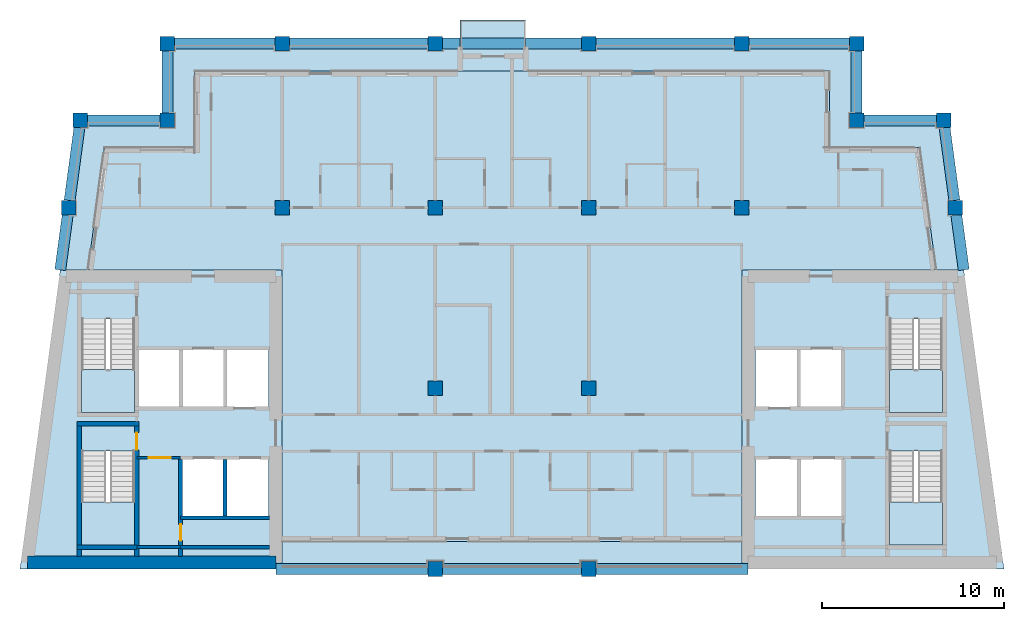
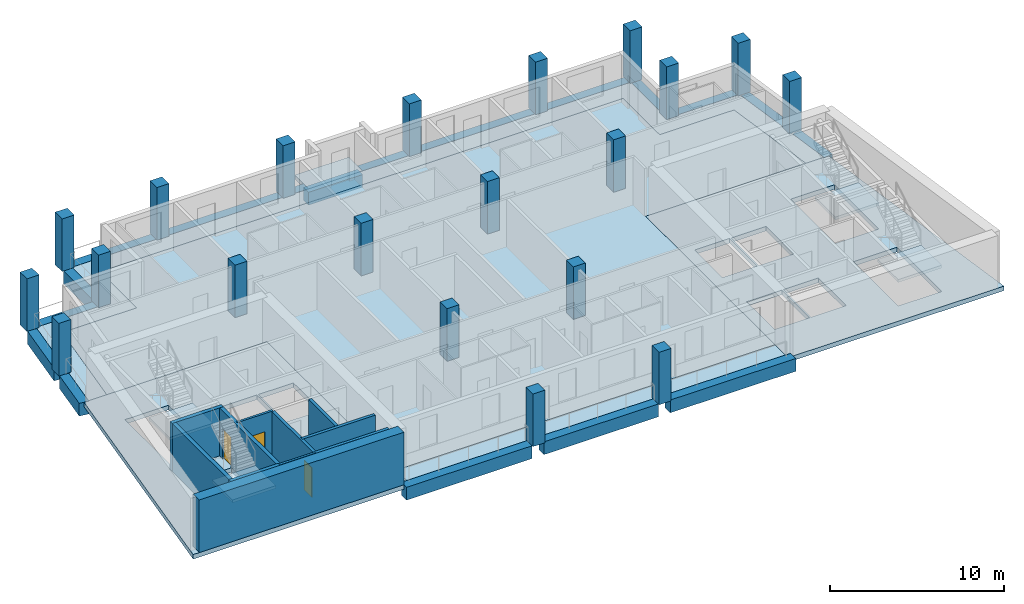
# One storey, part 1 of 9: 20 columns, 18 beams, 11 walls, 10 slabs, 3 doors, 3 openings, 4 elements without a shape of their own.
"""IFC4 building model written with IfcOpenShell, lengths in metres."""

from ifc_helpers import new_model, si_unit, direction, frame, frame_2d, origin, origin_2d, place, context, subcontext, project, spatial, polyline, rectangle, outline, extrude, material, layer, layer_set, material_profile, profile_set, type_object, element, fill, aggregate, save


model = new_model("IFC4")

# Units and contexts
model_context = context("Model", 3, precision=1e-05, world=origin(), true_north=direction((0.0, 1.0)))
body_context = subcontext(model_context, "Body", "Model", "MODEL_VIEW")
ifc_project = project(units=[si_unit("LENGTHUNIT", "METRE"), si_unit("AREAUNIT", "SQUARE_METRE"), si_unit("VOLUMEUNIT", "CUBIC_METRE"), si_unit("PLANEANGLEUNIT", "RADIAN"), si_unit("MASSUNIT", "GRAM", prefix="KILO")], contexts=[model_context])

# Site, building, storey
site_placement = place(None, origin())
site = spatial("IfcSite", under=ifc_project, at=site_placement, CompositionType="ELEMENT")
building_placement = place(site_placement, origin())
building = spatial("IfcBuilding", under=site, at=building_placement, Name="Candeia Pilgrim Tower and Theatre", CompositionType="ELEMENT")
storey_placement = place(building_placement, frame((0.0, 0.0, 296.0)))
storey = spatial("IfcBuildingStorey", under=building, at=storey_placement, Name="L72", CompositionType="ELEMENT", Elevation=296.0)

# Columns
ifc_material_1 = material(Name="Concrete C40/50", Category="concrete")
ifc_material_profile_1 = material_profile(ifc_material_1, rectangle(XDim=0.800048828125, YDim=0.800048828125, at=origin_2d()))
ifc_profile_set_1 = profile_set([ifc_material_profile_1], Name="Concrete C40/50")
column_type = type_object("IfcColumnType", Name="RC 800x800 C40/50", PredefinedType="COLUMN", material=ifc_profile_set_1)
for number, where, z_axis, x_axis, name in (
    (1, (94.5, 140.60009765625, 0.0), (0.0, 0.0, 1.0), (1.0, 0.0, 0.0), "Column NNW"),
    (2, (132.300048828125, 140.60009765625, 0.0), (0.0, 0.0, 1.0), (1.0, 0.0, 0.0), "Column NNE"),
    (3, (89.734619140625, 140.60009765625, 0.0), (0.0, 0.0, 1.0), (1.0, 0.0, 0.0), "Column LNW"),
    (4, (137.0654296875, 140.60009765625, 0.0), (0.0, 0.0, 1.0), (1.0, 0.0, 0.0), "Column LNE"),
    (5, (109.199951171875, 116.0, 0.0), (0.0, 0.0, 1.0), (1.0, 0.0, 0.0), "Column C3"),
    (6, (117.60009765625, 116.0, 0.0), (0.0, 0.0, 1.0), (1.0, 0.0, 0.0), "Column C4"),
    (7, (109.199951171875, 125.89990234375, 0.0), (0.0, 0.0, 1.0), (1.0, 0.0, 0.0), "Column D3"),
    (8, (117.60009765625, 125.89990234375, 0.0), (0.0, 0.0, 1.0), (1.0, 0.0, 0.0), "Column D4"),
    (9, (100.800048828125, 135.800048828125, 0.0), (0.0, 0.0, 1.0), (1.0, 0.0, 0.0), "Column E2"),
    (10, (109.199951171875, 135.800048828125, 0.0), (0.0, 0.0, 1.0), (1.0, 0.0, 0.0), "Column E3"),
    (11, (117.60009765625, 135.800048828125, 0.0), (0.0, 0.0, 1.0), (1.0, 0.0, 0.0), "Column E4"),
    (12, (126.0, 135.800048828125, 0.0), (0.0, 0.0, 1.0), (1.0, 0.0, 0.0), "Column E5"),
    (13, (89.08837890625, 135.800048828125, 0.0), (0.0, 0.0, 1.0), (1.0, 0.0, 0.0), "Column EW"),
    (14, (137.71142578125, 135.800048828125, 0.0), (0.0, 0.0, 1.0), (1.0, 0.0, 0.0), "Column EE"),
    (15, (100.800048828125, 144.800048828125, 0.0), (0.0, 0.0, 1.0), (1.0, 0.0, 0.0), "Column F2"),
    (16, (109.199951171875, 144.800048828125, 0.0), (0.0, 0.0, 1.0), (1.0, 0.0, 0.0), "Column F3"),
    (17, (117.60009765625, 144.800048828125, 0.0), (0.0, 0.0, 1.0), (1.0, 0.0, 0.0), "Column F4"),
    (18, (126.0, 144.800048828125, 0.0), (0.0, 0.0, 1.0), (1.0, 0.0, 0.0), "Column F5"),
    (19, (94.5, 144.800048828125, 0.0), (0.0, 0.0, 1.0), (1.0, 0.0, 0.0), "Column FW"),
    (20, (132.300048828125, 144.800048828125, 0.0), (0.0, 0.0, 1.0), (1.0, 0.0, 0.0), "Column FE"),
):
    element("IfcColumn", number, at=place(storey_placement, frame(where, z_axis=z_axis, x_axis=x_axis)), inside=storey, type_object=column_type, Name=name, PredefinedType="COLUMN", context=body_context, shape_type="SweptSolid", body=[
        extrude(rectangle(XDim=0.800048828125, YDim=0.800048828125, at=origin_2d()), origin(), (0.0, 0.0, 1.0), 3.699951171875),
    ])

# Beams
ifc_material_profile_2 = material_profile(ifc_material_1, rectangle(XDim=0.60009765625, YDim=0.89990234375, at=origin_2d()))
ifc_profile_set_2 = profile_set([ifc_material_profile_2], Name="Concrete C40/50")
beam_type = type_object("IfcBeamType", Name="RC 600x900 C40/50", PredefinedType="BEAM", material=ifc_profile_set_2)
beam_1_placement = place(storey_placement, frame((90.134521484375, 140.60009765625, -0.449951171875), z_axis=(1.0, 0.0, 0.0), x_axis=(0.0, 1.0, 0.0)))
element("IfcBeam", 21, at=beam_1_placement, inside=storey, type_object=beam_type, Name="Spandrel beam L72-01", PredefinedType="BEAM", context=body_context, shape_type="SweptSolid", body=[
    extrude(rectangle(XDim=0.60009765625, YDim=0.89990234375, at=origin_2d()), origin(), (0.0, 0.0, 1.0), 3.965576171875),
])
beam_2_placement = place(storey_placement, frame((94.5, 141.0, -0.449951171875), z_axis=(0.0, 1.0, 0.0), x_axis=(-1.0, 0.0, 0.0)))
element("IfcBeam", 22, at=beam_2_placement, inside=storey, type_object=beam_type, Name="Spandrel beam L72-02", PredefinedType="BEAM", context=body_context, shape_type="SweptSolid", body=[
    extrude(rectangle(XDim=0.60009765625, YDim=0.89990234375, at=origin_2d()), origin(), (0.0, 0.0, 1.0), 3.39990234375),
])
beam_3_placement = place(storey_placement, frame((94.89990234375, 144.800048828125, -0.449951171875), z_axis=(1.0, 0.0, 0.0), x_axis=(0.0, 1.0, 0.0)))
element("IfcBeam", 23, at=beam_3_placement, inside=storey, type_object=beam_type, Name="Spandrel beam L72-03", PredefinedType="BEAM", context=body_context, shape_type="SweptSolid", body=[
    extrude(rectangle(XDim=0.60009765625, YDim=0.89990234375, at=origin_2d()), origin(), (0.0, 0.0, 1.0), 5.5),
])
beam_4_placement = place(storey_placement, frame((101.199951171875, 144.800048828125, -0.449951171875), z_axis=(1.0, 0.0, 0.0), x_axis=(0.0, 1.0, 0.0)))
element("IfcBeam", 24, at=beam_4_placement, inside=storey, type_object=beam_type, Name="Spandrel beam L72-04", PredefinedType="BEAM", context=body_context, shape_type="SweptSolid", body=[
    extrude(rectangle(XDim=0.60009765625, YDim=0.89990234375, at=origin_2d()), origin(), (0.0, 0.0, 1.0), 7.60009765625),
])
beam_5_placement = place(storey_placement, frame((109.60009765625, 144.800048828125, -0.449951171875), z_axis=(1.0, 0.0, 0.0), x_axis=(0.0, 1.0, 0.0)))
element("IfcBeam", 25, at=beam_5_placement, inside=storey, type_object=beam_type, Name="Spandrel beam L72-05", PredefinedType="BEAM", context=body_context, shape_type="SweptSolid", body=[
    extrude(rectangle(XDim=0.60009765625, YDim=0.89990234375, at=origin_2d()), origin(), (0.0, 0.0, 1.0), 0.949951171875),
])
beam_6_placement = place(storey_placement, frame((110.550048828125, 144.800048828125, -0.699951171875), z_axis=(1.0, 0.0, 0.0), x_axis=(0.0, 1.0, 0.0)))
element("IfcBeam", 26, at=beam_6_placement, inside=storey, type_object=beam_type, Name="Spandrel beam L72-06", PredefinedType="BEAM", context=body_context, shape_type="SweptSolid", body=[
    extrude(rectangle(XDim=0.60009765625, YDim=0.89990234375, at=origin_2d()), origin(), (0.0, 0.0, 1.0), 3.599853515625),
])
beam_7_placement = place(storey_placement, frame((114.14990234375, 144.800048828125, -0.449951171875), z_axis=(1.0, 0.0, 0.0), x_axis=(0.0, 1.0, 0.0)))
element("IfcBeam", 27, at=beam_7_placement, inside=storey, type_object=beam_type, Name="Spandrel beam L72-07", PredefinedType="BEAM", context=body_context, shape_type="SweptSolid", body=[
    extrude(rectangle(XDim=0.60009765625, YDim=0.89990234375, at=origin_2d()), origin(), (0.0, 0.0, 1.0), 3.050048828125),
])
beam_8_placement = place(storey_placement, frame((118.0, 144.800048828125, -0.449951171875), z_axis=(1.0, 0.0, 0.0), x_axis=(0.0, 1.0, 0.0)))
element("IfcBeam", 28, at=beam_8_placement, inside=storey, type_object=beam_type, Name="Spandrel beam L72-08", PredefinedType="BEAM", context=body_context, shape_type="SweptSolid", body=[
    extrude(rectangle(XDim=0.60009765625, YDim=0.89990234375, at=origin_2d()), origin(), (0.0, 0.0, 1.0), 7.60009765625),
])
beam_9_placement = place(storey_placement, frame((126.39990234375, 144.800048828125, -0.449951171875), z_axis=(1.0, 0.0, 0.0), x_axis=(0.0, 1.0, 0.0)))
element("IfcBeam", 29, at=beam_9_placement, inside=storey, type_object=beam_type, Name="Spandrel beam L72-09", PredefinedType="BEAM", context=body_context, shape_type="SweptSolid", body=[
    extrude(rectangle(XDim=0.60009765625, YDim=0.89990234375, at=origin_2d()), origin(), (0.0, 0.0, 1.0), 5.5),
])
beam_10_placement = place(storey_placement, frame((132.300048828125, 144.39990234375, -0.449951171875), z_axis=(0.0, -1.0, 0.0), x_axis=(1.0, 0.0, 0.0)))
element("IfcBeam", 30, at=beam_10_placement, inside=storey, type_object=beam_type, Name="Spandrel beam L72-10", PredefinedType="BEAM", context=body_context, shape_type="SweptSolid", body=[
    extrude(rectangle(XDim=0.60009765625, YDim=0.89990234375, at=origin_2d()), origin(), (0.0, 0.0, 1.0), 3.39990234375),
])
beam_11_placement = place(storey_placement, frame((132.699951171875, 140.60009765625, -0.449951171875), z_axis=(1.0, 0.0, 0.0), x_axis=(0.0, 1.0, 0.0)))
element("IfcBeam", 31, at=beam_11_placement, inside=storey, type_object=beam_type, Name="Spandrel beam L72-11", PredefinedType="BEAM", context=body_context, shape_type="SweptSolid", body=[
    extrude(rectangle(XDim=0.60009765625, YDim=0.89990234375, at=origin_2d()), origin(), (0.0, 0.0, 1.0), 3.96533203125),
])
beam_12_placement = place(storey_placement, frame((137.119140625, 140.199951171875, -0.449951171875), z_axis=(0.133439433328, -0.991056969923, 0.0), x_axis=(0.991056969923, 0.133439433328, 0.0)))
element("IfcBeam", 32, at=beam_12_placement, inside=storey, type_object=beam_type, Name="Spandrel beam L72-12", PredefinedType="BEAM", context=body_context, shape_type="SweptSolid", body=[
    extrude(rectangle(XDim=0.60009765625, YDim=0.89990234375, at=origin_2d()), origin(), (0.0, 0.0, 1.0), 4.0361328125),
])
beam_13_placement = place(storey_placement, frame((137.765380859375, 135.39990234375, -0.449951171875), z_axis=(0.133399824849, -0.991062302144, 0.0), x_axis=(0.991062302144, 0.133399824849, 0.0)))
element("IfcBeam", 33, at=beam_13_placement, inside=storey, type_object=beam_type, Name="Spandrel beam L72-13", PredefinedType="BEAM", context=body_context, shape_type="SweptSolid", body=[
    extrude(rectangle(XDim=0.60009765625, YDim=0.89990234375, at=origin_2d()), origin(), (0.0, 0.0, 1.0), 3.027099609375),
])
beam_14_placement = place(storey_placement, frame((126.35009765625, 116.0, -0.449951171875), z_axis=(-1.0, 0.0, 0.0), x_axis=(0.0, -1.0, 0.0)))
element("IfcBeam", 34, at=beam_14_placement, inside=storey, type_object=beam_type, Name="Spandrel beam L72-14", PredefinedType="BEAM", context=body_context, shape_type="SweptSolid", body=[
    extrude(rectangle(XDim=0.60009765625, YDim=0.89990234375, at=origin_2d()), origin(), (0.0, 0.0, 1.0), 8.35009765625),
])
beam_15_placement = place(storey_placement, frame((117.199951171875, 116.0, -0.449951171875), z_axis=(-1.0, 0.0, 0.0), x_axis=(0.0, -1.0, 0.0)))
element("IfcBeam", 35, at=beam_15_placement, inside=storey, type_object=beam_type, Name="Spandrel beam L72-15", PredefinedType="BEAM", context=body_context, shape_type="SweptSolid", body=[
    extrude(rectangle(XDim=0.60009765625, YDim=0.89990234375, at=origin_2d()), origin(), (0.0, 0.0, 1.0), 7.599853515625),
])
beam_16_placement = place(storey_placement, frame((108.800048828125, 116.0, -0.449951171875), z_axis=(-1.0, 0.0, 0.0), x_axis=(0.0, -1.0, 0.0)))
element("IfcBeam", 36, at=beam_16_placement, inside=storey, type_object=beam_type, Name="Spandrel beam L72-16", PredefinedType="BEAM", context=body_context, shape_type="SweptSolid", body=[
    extrude(rectangle(XDim=0.60009765625, YDim=0.89990234375, at=origin_2d()), origin(), (0.0, 0.0, 1.0), 8.35009765625),
])
beam_17_placement = place(storey_placement, frame((88.630859375, 132.39990234375, -0.449951171875), z_axis=(0.133399824849, 0.991062302144, 0.0), x_axis=(-0.991062302144, 0.133399824849, 0.0)))
element("IfcBeam", 37, at=beam_17_placement, inside=storey, type_object=beam_type, Name="Spandrel beam L72-17", PredefinedType="BEAM", context=body_context, shape_type="SweptSolid", body=[
    extrude(rectangle(XDim=0.60009765625, YDim=0.89990234375, at=origin_2d()), origin(), (0.0, 0.0, 1.0), 3.027099609375),
])
beam_18_placement = place(storey_placement, frame((89.142333984375, 136.199951171875, -0.449951171875), z_axis=(0.13338002037, 0.991064967682, 0.0), x_axis=(-0.991064967682, 0.13338002037, 0.0)))
element("IfcBeam", 38, at=beam_18_placement, inside=storey, type_object=beam_type, Name="Spandrel beam L72-18", PredefinedType="BEAM", context=body_context, shape_type="SweptSolid", body=[
    extrude(rectangle(XDim=0.60009765625, YDim=0.89990234375, at=origin_2d()), origin(), (0.0, 0.0, 1.0), 4.0361328125),
])

# Slabs
ifc_layer_1 = layer(ifc_material_1, 0.25)
ifc_layer_set_1 = layer_set([ifc_layer_1], Name="BK1 balcony slab 250")
slab_type_1 = type_object("IfcSlabType", Name="BK1 balcony slab 250", PredefinedType="USERDEFINED", material=ifc_layer_set_1)
slab_1_placement = place(storey_placement, frame((0.0, 0.0, -0.25)))
element("IfcSlab", 39, at=slab_1_placement, inside=storey, type_object=slab_type_1, Name="Balcony L72", ObjectType="BALCONY", PredefinedType="USERDEFINED", context=body_context, shape_type="SweptSolid", body=[
    extrude(outline(polyline([(110.550048828125, 144.5), (114.14990234375, 144.5), (114.14990234375, 146.10009765625), (110.550048828125, 146.10009765625), (110.550048828125, 144.5)])), origin(), (0.0, 0.0, 1.0), 0.25),
])
ifc_material_2 = material(Name="Concrete C60/75", Category="concrete")
ifc_layer_2 = layer(ifc_material_2, 0.320068359375)
ifc_layer_set_2 = layer_set([ifc_layer_2], Name="FS-CORE 320 core floor")
slab_type_2 = type_object("IfcSlabType", Name="FS-CORE 320 core floor", PredefinedType="FLOOR", material=ifc_layer_set_2)
slab_2_placement = place(storey_placement, frame((0.0, 0.0, -0.320068359375)))
element("IfcSlab", 40, at=slab_2_placement, inside=storey, type_object=slab_type_2, Name="Core floor W L72", PredefinedType="FLOOR", context=body_context, shape_type="SweptSolid", body=[
    extrude(outline(polyline([(100.800048828125, 132.39990234375), (100.800048828125, 116.0), (86.423095703125, 116.0), (88.630859375, 132.39990234375), (100.800048828125, 132.39990234375)]), holes=[polyline([(97.71337890625, 122.050048828125), (97.71337890625, 118.85009765625), (100.050048828125, 118.85009765625), (100.050048828125, 122.050048828125), (97.71337890625, 122.050048828125)]), polyline([(97.7255859375, 128.050048828125), (97.7255859375, 124.85009765625), (100.050048828125, 124.85009765625), (100.050048828125, 128.050048828125), (97.7255859375, 128.050048828125)]), polyline([(95.30126953125, 128.050048828125), (95.30126953125, 124.85009765625), (97.625732421875, 124.85009765625), (97.625732421875, 128.050048828125), (95.30126953125, 128.050048828125)]), polyline([(95.277099609375, 122.050048828125), (95.277099609375, 118.85009765625), (97.613525390625, 118.85009765625), (97.613525390625, 122.050048828125), (95.277099609375, 122.050048828125)]), polyline([(92.876953125, 128.050048828125), (92.876953125, 124.85009765625), (95.201416015625, 124.85009765625), (95.201416015625, 128.050048828125), (92.876953125, 128.050048828125)]), polyline([(89.802001953125, 117.324951171875), (92.701904296875, 117.324951171875), (92.701904296875, 122.455078125), (89.802001953125, 122.455078125), (89.802001953125, 117.324951171875)]), polyline([(89.802001953125, 129.705078125), (89.802001953125, 124.574951171875), (92.701904296875, 124.574951171875), (92.701904296875, 129.705078125), (89.802001953125, 129.705078125)])]), origin(), (0.0, 0.0, 1.0), 0.320068359375),
])
slab_3_placement = place(storey_placement, frame((0.0, 0.0, -0.320068359375)))
element("IfcSlab", 41, at=slab_3_placement, inside=storey, type_object=slab_type_2, Name="Core floor E L72", PredefinedType="FLOOR", context=body_context, shape_type="SweptSolid", body=[
    extrude(outline(polyline([(138.169189453125, 132.39990234375), (140.376953125, 116.0), (126.0, 116.0), (126.0, 132.39990234375), (138.169189453125, 132.39990234375)]), holes=[polyline([(134.097900390625, 117.324951171875), (136.998046875, 117.324951171875), (136.998046875, 122.455078125), (134.097900390625, 122.455078125), (134.097900390625, 117.324951171875)]), polyline([(134.097900390625, 129.705078125), (134.097900390625, 124.574951171875), (136.998046875, 124.574951171875), (136.998046875, 129.705078125), (134.097900390625, 129.705078125)]), polyline([(131.52294921875, 122.050048828125), (129.1865234375, 122.050048828125), (129.1865234375, 118.85009765625), (131.52294921875, 118.85009765625), (131.52294921875, 122.050048828125)]), polyline([(131.498779296875, 128.050048828125), (129.17431640625, 128.050048828125), (129.17431640625, 124.85009765625), (131.498779296875, 124.85009765625), (131.498779296875, 128.050048828125)]), polyline([(129.08642578125, 122.050048828125), (126.75, 122.050048828125), (126.75, 118.85009765625), (129.08642578125, 118.85009765625), (129.08642578125, 122.050048828125)]), polyline([(126.75, 128.050048828125), (126.75, 124.85009765625), (129.07421875, 124.85009765625), (129.07421875, 128.050048828125), (126.75, 128.050048828125)])]), origin(), (0.0, 0.0, 1.0), 0.320068359375),
])
ifc_material_3 = material(Name="Concrete C50/60", Category="concrete")
ifc_layer_3 = layer(ifc_material_3, 0.320068359375)
ifc_layer_set_3 = layer_set([ifc_layer_3], Name="Floor slab 320 C50/60")
slab_type_3 = type_object("IfcSlabType", Name="Floor slab 320 C50/60", PredefinedType="FLOOR", material=ifc_layer_set_3)
slab_4_placement = place(storey_placement, frame((0.0, 0.0, -0.320068359375)))
element("IfcSlab", 42, at=slab_4_placement, inside=storey, type_object=slab_type_3, Name="Floor slab L72", PredefinedType="FLOOR", context=body_context, shape_type="SweptSolid", body=[
    extrude(outline(polyline([(96.0, 139.10009765625), (96.0, 143.300048828125), (130.800048828125, 143.300048828125), (130.800048828125, 139.10009765625), (135.753662109375, 139.10009765625), (136.65576171875, 132.39990234375), (126.0, 132.39990234375), (126.0, 117.5), (100.800048828125, 117.5), (100.800048828125, 132.39990234375), (90.144287109375, 132.39990234375), (91.046142578125, 139.10009765625), (96.0, 139.10009765625)])), origin(), (0.0, 0.0, 1.0), 0.320068359375),
])
ifc_layer_4 = layer(ifc_material_1, 0.25)
ifc_layer_set_4 = layer_set([ifc_layer_4], Name="Loggia slab 250 C40/50")
slab_type_4 = type_object("IfcSlabType", Name="Loggia slab 250 C40/50", PredefinedType="FLOOR", material=ifc_layer_set_4)
slab_5_placement = place(storey_placement, frame((0.0, 0.0, -0.25)))
element("IfcSlab", 43, at=slab_5_placement, inside=storey, type_object=slab_type_4, Name="Loggia slab L72 1", PredefinedType="FLOOR", context=body_context, shape_type="SweptSolid", body=[
    extrude(outline(polyline([(100.800048828125, 117.5), (126.0, 117.5), (126.0, 116.300048828125), (100.800048828125, 116.300048828125), (100.800048828125, 117.5)])), origin(), (0.0, 0.0, 1.0), 0.25),
])
slab_6_placement = place(storey_placement, frame((0.0, 0.0, -0.25)))
element("IfcSlab", 44, at=slab_6_placement, inside=storey, type_object=slab_type_4, Name="Loggia slab L72 2", PredefinedType="FLOOR", context=body_context, shape_type="SweptSolid", body=[
    extrude(outline(polyline([(136.65576171875, 132.39990234375), (135.753662109375, 139.10009765625), (130.800048828125, 139.10009765625), (130.800048828125, 143.300048828125), (96.0, 143.300048828125), (96.0, 139.10009765625), (91.046142578125, 139.10009765625), (90.144287109375, 132.39990234375), (88.93359375, 132.39990234375), (89.996826171875, 140.300048828125), (94.800048828125, 140.300048828125), (94.800048828125, 144.5), (132.0, 144.5), (132.0, 140.300048828125), (136.802978515625, 140.300048828125), (137.866455078125, 132.39990234375), (136.65576171875, 132.39990234375)])), origin(), (0.0, 0.0, 1.0), 0.25),
])

# Stair, slab
stair_type = type_object("IfcStairType", Name="ST-TWR dog-leg escape stair", PredefinedType="HALF_TURN_STAIR", material=ifc_material_1)
stair_1_placement = place(storey_placement, origin())
stair_1 = element("IfcStair", 45, at=stair_1_placement, inside=storey, type_object=stair_type, Name="L72 Escape stair ST1", PredefinedType="HALF_TURN_STAIR")
ifc_layer_5 = layer(ifc_material_1, 0.199951171875)
ifc_layer_set_5 = layer_set([ifc_layer_5], Name="SL-LANDING stair landing")
slab_type_5 = type_object("IfcSlabType", Name="SL-LANDING stair landing", PredefinedType="LANDING", material=ifc_layer_set_5)
slab_7_placement = place(storey_placement, frame((0.0, 0.0, 1.64990234375)))
slab_7 = element("IfcSlab", 46, at=slab_7_placement, type_object=slab_type_5, Name="ST1 landing 1", PredefinedType="LANDING", context=body_context, shape_type="SweptSolid", body=[
    extrude(outline(polyline([(89.802001953125, 119.675048828125), (89.802001953125, 117.324951171875), (92.701904296875, 117.324951171875), (92.701904296875, 119.675048828125), (89.802001953125, 119.675048828125)])), origin(), (0.0, 0.0, 1.0), 0.2001953125),
])
aggregate(stair_1, [slab_7])

stair_2_placement = place(storey_placement, origin())
stair_2 = element("IfcStair", 47, at=stair_2_placement, inside=storey, type_object=stair_type, Name="L72 Escape stair ST2", PredefinedType="HALF_TURN_STAIR")
slab_8_placement = place(storey_placement, frame((0.0, 0.0, 1.64990234375)))
slab_8 = element("IfcSlab", 48, at=slab_8_placement, type_object=slab_type_5, Name="ST2 landing 1", PredefinedType="LANDING", context=body_context, shape_type="SweptSolid", body=[
    extrude(outline(polyline([(89.802001953125, 126.925048828125), (89.802001953125, 124.574951171875), (92.701904296875, 124.574951171875), (92.701904296875, 126.925048828125), (89.802001953125, 126.925048828125)])), origin(), (0.0, 0.0, 1.0), 0.2001953125),
])
aggregate(stair_2, [slab_8])

stair_3_placement = place(storey_placement, origin())
stair_3 = element("IfcStair", 49, at=stair_3_placement, inside=storey, type_object=stair_type, Name="L72 Escape stair ST3", PredefinedType="HALF_TURN_STAIR")
slab_9_placement = place(storey_placement, frame((0.0, 0.0, 1.64990234375)))
slab_9 = element("IfcSlab", 50, at=slab_9_placement, type_object=slab_type_5, Name="ST3 landing 1", PredefinedType="LANDING", context=body_context, shape_type="SweptSolid", body=[
    extrude(outline(polyline([(134.097900390625, 119.675048828125), (134.097900390625, 117.324951171875), (136.998046875, 117.324951171875), (136.998046875, 119.675048828125), (134.097900390625, 119.675048828125)])), origin(), (0.0, 0.0, 1.0), 0.2001953125),
])
aggregate(stair_3, [slab_9])

stair_4_placement = place(storey_placement, origin())
stair_4 = element("IfcStair", 51, at=stair_4_placement, inside=storey, type_object=stair_type, Name="L72 Escape stair ST4", PredefinedType="HALF_TURN_STAIR")
slab_10_placement = place(storey_placement, frame((0.0, 0.0, 1.64990234375)))
slab_10 = element("IfcSlab", 52, at=slab_10_placement, type_object=slab_type_5, Name="ST4 landing 1", PredefinedType="LANDING", context=body_context, shape_type="SweptSolid", body=[
    extrude(outline(polyline([(134.097900390625, 126.925048828125), (134.097900390625, 124.574951171875), (136.998046875, 124.574951171875), (136.998046875, 126.925048828125), (134.097900390625, 126.925048828125)])), origin(), (0.0, 0.0, 1.0), 0.2001953125),
])
aggregate(stair_4, [slab_10])

# Walls
ifc_layer_6 = layer(ifc_material_1, 0.699951171875)
ifc_layer_set_6 = layer_set([ifc_layer_6], Name="Core wall 700 C40/50")
wall_type_1 = type_object("IfcWallType", Name="Core wall 700 C40/50", PredefinedType="SHEAR", material=ifc_layer_set_6)
wall_1_placement = place(storey_placement, frame((100.449951171875, 116.35009765625, 0.0), z_axis=(0.0, 0.0, 1.0), x_axis=(-1.0, 0.0, 0.0)))
element("IfcWall", 53, at=wall_1_placement, inside=storey, type_object=wall_type_1, Name="Core wall W3", PredefinedType="SHEAR", context=body_context, shape_type="SweptSolid", body=[
    extrude(rectangle(XDim=13.626708984375, YDim=0.699951171875, at=frame_2d((6.8134765625, 0.0))), origin(), (0.0, 0.0, 1.0), 3.699951171875),
])
ifc_material_4 = material(Name="Gypsum board partition on steel studs", Category="steel")
ifc_layer_7 = layer(ifc_material_4, 0.14990234375)
ifc_layer_set_7 = layer_set([ifc_layer_7], Name="PW-150 lobby wall")
wall_type_2 = type_object("IfcWallType", Name="PW-150 lobby wall", PredefinedType="PARTITIONING", material=ifc_layer_set_7)
wall_2_placement = place(storey_placement, frame((92.826904296875, 117.199951171875, 0.0), z_axis=(0.0, 0.0, 1.0), x_axis=(1.0, 0.0, 0.0)))
element("IfcWall", 54, at=wall_2_placement, inside=storey, type_object=wall_type_2, Name="Lobby wall L72-003", PredefinedType="PARTITIONING", context=body_context, shape_type="SweptSolid", body=[
    extrude(rectangle(XDim=2.400146484375, YDim=0.14990234375, at=frame_2d((1.2001953125, 0.0))), origin(), (0.0, 0.0, 1.0), 3.3798828125),
])

# Wall, opening, door
wall_3_placement = place(storey_placement, frame((92.826904296875, 122.10009765625, 0.0), z_axis=(0.0, 0.0, 1.0), x_axis=(1.0, 0.0, 0.0)))
wall_3 = element("IfcWall", 55, at=wall_3_placement, inside=storey, type_object=wall_type_2, Name="Lobby wall L72-014", PredefinedType="PARTITIONING", context=body_context, shape_type="SweptSolid", body=[
    extrude(rectangle(XDim=2.400146484375, YDim=0.14990234375, at=frame_2d((1.2001953125, 0.0))), origin(), (0.0, 0.0, 1.0), 3.3798828125),
])
opening_1_placement = place(wall_3_placement, frame((0.64990234375, 0.0, 0.0)))
opening_1 = element("IfcOpeningElement", 56, at=opening_1_placement, cuts=wall_3, Name="Opening L72-D001", PredefinedType="OPENING", context=body_context, shape_type="SweptSolid", body=[
    extrude(rectangle(XDim=1.199951171875, YDim=2.10009765625, at=frame_2d((0.60009765625, 1.050048828125))), frame((0.0, 0.0849609375, 0.0), z_axis=(0.0, -1.0, 0.0), x_axis=(1.0, 0.0, 0.0)), (0.0, 0.0, 1.0), 0.169921875),
])
ifc_material_5 = material(Name="Steel fire door set", Category="steel")
door_type_1 = type_object("IfcDoorType", Name="D-1200-FD60", OperationType="NOTDEFINED", PredefinedType="DOOR", material=ifc_material_5)
door_1_placement = place(opening_1_placement, origin())
door_1 = element("IfcDoor", 57, at=door_1_placement, inside=storey, type_object=door_type_1, Name="Door L72-D001", OperationType="SINGLE_SWING_LEFT", OverallHeight=2.10009765625, OverallWidth=1.199951171875, PredefinedType="DOOR", context=body_context, shape_type="SweptSolid", body=[
    extrude(rectangle(XDim=1.199951171875, YDim=2.10009765625, at=frame_2d((0.60009765625, 1.050048828125))), frame((0.0, 0.02490234375, 0.0), z_axis=(0.0, -1.0, 0.0), x_axis=(1.0, 0.0, 0.0)), (0.0, 0.0, 1.0), 0.050048828125),
])
fill(opening_1, door_1)

# Walls
ifc_layer_8 = layer(ifc_material_1, 0.199951171875)
ifc_layer_set_8 = layer_set([ifc_layer_8], Name="SW-200 shaft wall")
wall_type_3 = type_object("IfcWallType", Name="SW-200 shaft wall", PredefinedType="PARTITIONING", material=ifc_layer_set_8)
for number, where, z_axis, x_axis, name in (
    (58, (95.22705078125, 117.199951171875, 0.0), (0.0, 0.0, 1.0), (1.0, 0.0, 0.0), "Shaft wall L72-001"),
    (59, (95.22705078125, 118.800048828125, 0.0), (0.0, 0.0, 1.0), (1.0, 0.0, 0.0), "Shaft wall L72-007"),
):
    element("IfcWall", number, at=place(storey_placement, frame(where, z_axis=z_axis, x_axis=x_axis)), inside=storey, type_object=wall_type_3, Name=name, PredefinedType="PARTITIONING", context=body_context, shape_type="SweptSolid", body=[
        extrude(rectangle(XDim=4.873046875, YDim=0.199951171875, at=frame_2d((2.4365234375, 0.0))), origin(), (0.0, 0.0, 1.0), 3.3798828125),
    ])

# Wall, opening, door
wall_4_placement = place(storey_placement, frame((95.22705078125, 116.669921875, 0.0), z_axis=(0.0, 0.0, 1.0), x_axis=(0.0, 1.0, 0.0)))
wall_4 = element("IfcWall", 60, at=wall_4_placement, inside=storey, type_object=wall_type_3, Name="Shaft wall L72-046", PredefinedType="PARTITIONING", context=body_context, shape_type="SweptSolid", body=[
    extrude(rectangle(XDim=5.330078125, YDim=0.199951171875, at=frame_2d((2.6650390625, 0.0))), origin(), (0.0, 0.0, 1.0), 3.3798828125),
])
opening_2_placement = place(wall_4_placement, frame((0.8798828125, 0.0, 0.0)))
opening_2 = element("IfcOpeningElement", 61, at=opening_2_placement, cuts=wall_4, Name="Opening L72-D004", PredefinedType="OPENING", context=body_context, shape_type="SweptSolid", body=[
    extrude(rectangle(XDim=0.89990234375, YDim=2.10009765625, at=frame_2d((0.449951171875, 1.050048828125))), frame((0.0, 0.10986328125, 0.0), z_axis=(0.0, -1.0, 0.0), x_axis=(1.0, 0.0, 0.0)), (0.0, 0.0, 1.0), 0.219970703125),
])
door_type_2 = type_object("IfcDoorType", Name="D-900-FD60", OperationType="NOTDEFINED", PredefinedType="DOOR", material=ifc_material_5)
door_2_placement = place(opening_2_placement, origin())
door_2 = element("IfcDoor", 62, at=door_2_placement, inside=storey, type_object=door_type_2, Name="Door L72-D004", OperationType="SINGLE_SWING_RIGHT", OverallHeight=2.10009765625, OverallWidth=0.89990234375, PredefinedType="DOOR", context=body_context, shape_type="SweptSolid", body=[
    extrude(rectangle(XDim=0.89990234375, YDim=2.10009765625, at=frame_2d((0.449951171875, 1.050048828125))), frame((0.0, 0.02490234375, 0.0), z_axis=(0.0, -1.0, 0.0), x_axis=(1.0, 0.0, 0.0)), (0.0, 0.0, 1.0), 0.050048828125),
])
fill(opening_2, door_2)

# Walls
wall_5_placement = place(storey_placement, frame((97.66357421875, 118.89990234375, 0.0), z_axis=(0.0, 0.0, 1.0), x_axis=(0.0, 1.0, 0.0)))
element("IfcWall", 63, at=wall_5_placement, inside=storey, type_object=wall_type_3, Name="Shaft wall L72-049", PredefinedType="PARTITIONING", context=body_context, shape_type="SweptSolid", body=[
    extrude(rectangle(XDim=3.10009765625, YDim=0.199951171875, at=frame_2d((1.550048828125, 0.0))), origin(), (0.0, 0.0, 1.0), 3.3798828125),
])
ifc_layer_9 = layer(ifc_material_1, 0.25)
ifc_layer_set_9 = layer_set([ifc_layer_9], Name="SW-250 stair wall")
wall_type_4 = type_object("IfcWallType", Name="SW-250 stair wall", PredefinedType="PARTITIONING", material=ifc_layer_set_9)
wall_6_placement = place(storey_placement, frame((89.552001953125, 117.199951171875, 0.0), z_axis=(0.0, 0.0, 1.0), x_axis=(1.0, 0.0, 0.0)))
element("IfcWall", 64, at=wall_6_placement, inside=storey, type_object=wall_type_4, Name="Stair wall L72-005", PredefinedType="PARTITIONING", context=body_context, shape_type="SweptSolid", body=[
    extrude(rectangle(XDim=3.27490234375, YDim=0.25, at=frame_2d((1.637451171875, 0.0))), origin(), (0.0, 0.0, 1.0), 3.3798828125),
])
wall_7_placement = place(storey_placement, frame((89.552001953125, 123.949951171875, 0.0), z_axis=(0.0, 0.0, 1.0), x_axis=(1.0, 0.0, 0.0)))
element("IfcWall", 65, at=wall_7_placement, inside=storey, type_object=wall_type_4, Name="Stair wall L72-017", PredefinedType="PARTITIONING", context=body_context, shape_type="SweptSolid", body=[
    extrude(rectangle(XDim=3.39990234375, YDim=0.25, at=frame_2d((1.699951171875, 0.0))), origin(), (0.0, 0.0, 1.0), 3.3798828125),
])
wall_8_placement = place(storey_placement, frame((89.677001953125, 116.669921875, 0.0), z_axis=(0.0, 0.0, 1.0), x_axis=(0.0, 1.0, 0.0)))
element("IfcWall", 66, at=wall_8_placement, inside=storey, type_object=wall_type_4, Name="Stair wall L72-040", PredefinedType="PARTITIONING", context=body_context, shape_type="SweptSolid", body=[
    extrude(rectangle(XDim=7.155029296875, YDim=0.25, at=frame_2d((3.57763671875, 0.0))), origin(), (0.0, 0.0, 1.0), 3.3798828125),
])

# Wall, opening, door
wall_9_placement = place(storey_placement, frame((92.826904296875, 116.669921875, 0.0), z_axis=(0.0, 0.0, 1.0), x_axis=(0.0, 1.0, 0.0)))
wall_9 = element("IfcWall", 67, at=wall_9_placement, inside=storey, type_object=wall_type_4, Name="Stair wall L72-043", PredefinedType="PARTITIONING", context=body_context, shape_type="SweptSolid", body=[
    extrude(rectangle(XDim=7.155029296875, YDim=0.25, at=frame_2d((3.57763671875, 0.0))), origin(), (0.0, 0.0, 1.0), 3.3798828125),
])
opening_3_placement = place(wall_9_placement, frame((5.85498046875, 0.0, 0.0)))
opening_3 = element("IfcOpeningElement", 68, at=opening_3_placement, cuts=wall_9, Name="Opening L72-D002", PredefinedType="OPENING", context=body_context, shape_type="SweptSolid", body=[
    extrude(rectangle(XDim=0.949951171875, YDim=2.10009765625, at=frame_2d((0.47509765625, 1.050048828125))), frame((0.0, 0.135009765625, 0.0), z_axis=(0.0, -1.0, 0.0), x_axis=(1.0, 0.0, 0.0)), (0.0, 0.0, 1.0), 0.27001953125),
])
door_type_3 = type_object("IfcDoorType", Name="D-950-FD60", OperationType="NOTDEFINED", PredefinedType="DOOR", material=ifc_material_5)
door_3_placement = place(opening_3_placement, origin())
door_3 = element("IfcDoor", 69, at=door_3_placement, inside=storey, type_object=door_type_3, Name="Door L72-D002", OperationType="SINGLE_SWING_RIGHT", OverallHeight=2.10009765625, OverallWidth=0.949951171875, PredefinedType="DOOR", context=body_context, shape_type="SweptSolid", body=[
    extrude(rectangle(XDim=0.949951171875, YDim=2.10009765625, at=frame_2d((0.47509765625, 1.050048828125))), frame((0.0, 0.02490234375, 0.0), z_axis=(0.0, -1.0, 0.0), x_axis=(1.0, 0.0, 0.0)), (0.0, 0.0, 1.0), 0.050048828125),
])
fill(opening_3, door_3)

save(model, "model.ifc")
